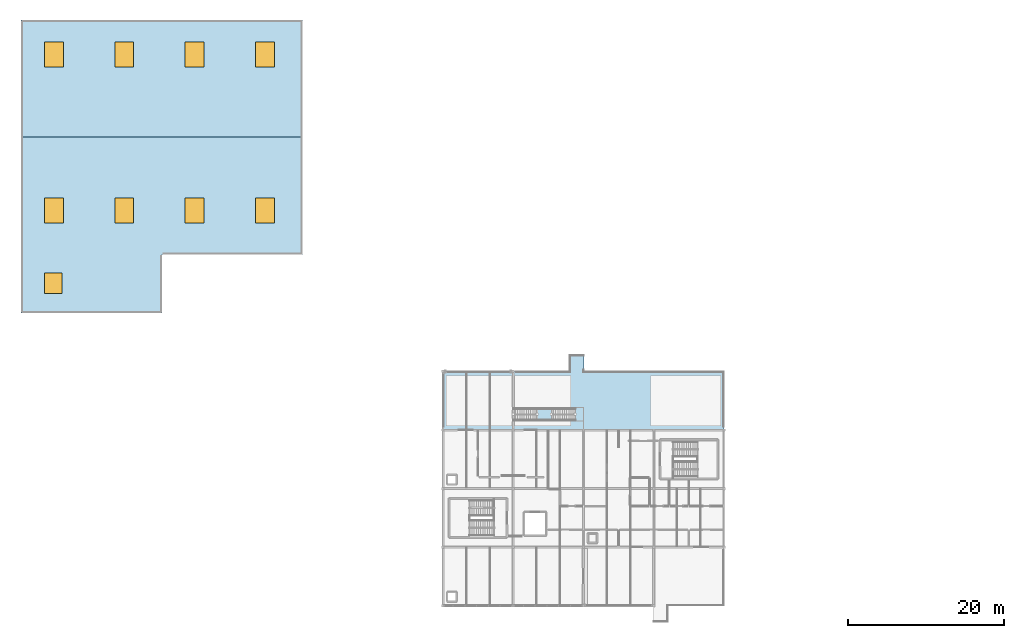
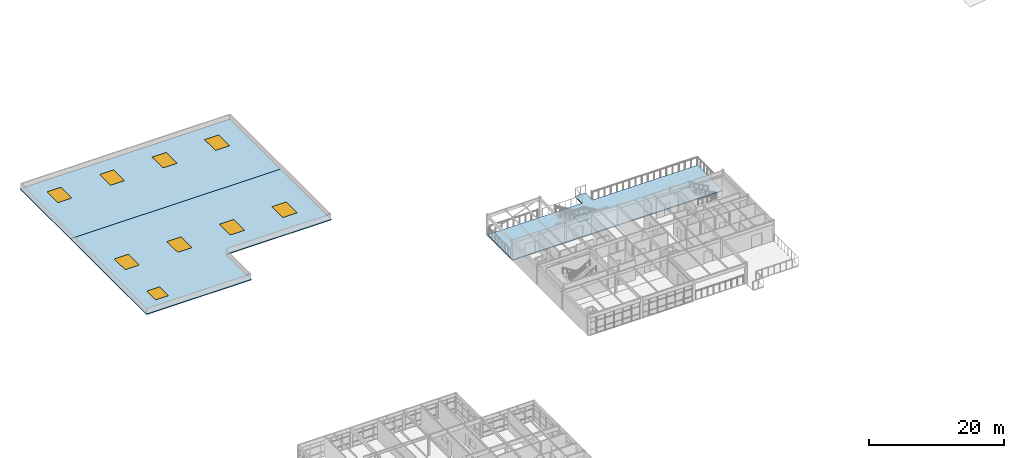
# One storey, part 15 of 24: 9 windows, 4 slabs, 9 openings, 1 element without a shape of its own.
"""IFC4 building model written with IfcOpenShell, lengths in metres."""

from ifc_helpers import new_model, si_unit, direction, frame, origin, origin_2d, place, context, subcontext, project, spatial, polyline, rectangle, outline, extrude, material, layer, layer_set, type_object, element, fill, aggregate, save


model = new_model("IFC4")

# Units and contexts
model_context = context("Model", 3, precision=1e-05, world=origin(), true_north=direction((0.0, 1.0)))
body_context = subcontext(model_context, "Body", "Model", "MODEL_VIEW")
ifc_project = project(units=[si_unit("LENGTHUNIT", "METRE"), si_unit("AREAUNIT", "SQUARE_METRE"), si_unit("VOLUMEUNIT", "CUBIC_METRE"), si_unit("PLANEANGLEUNIT", "RADIAN"), si_unit("MASSUNIT", "GRAM", prefix="KILO")], contexts=[model_context])

# Site, building, storey
site_placement = place(None, origin())
site = spatial("IfcSite", under=ifc_project, at=site_placement, CompositionType="ELEMENT")
building_placement = place(site_placement, origin())
building = spatial("IfcBuilding", under=site, at=building_placement, Name="Marnridge Secondary College", CompositionType="ELEMENT")
storey_placement = place(building_placement, frame((0.0, 0.0, 16.10009765625)))
storey = spatial("IfcBuildingStorey", under=building, at=storey_placement, Name="L04", CompositionType="ELEMENT", Elevation=16.10009765625)

# Slab
ifc_material_1 = material(Name="Cross-laminated timber CL5", Category="wood")
ifc_layer_1 = layer(ifc_material_1, 0.159912109375)
ifc_layer_set_1 = layer_set([ifc_layer_1], Name="SL-DECK-160")
slab_type_1 = type_object("IfcSlabType", Name="SL-DECK-160", PredefinedType="ROOF", material=ifc_layer_set_1)
slab_1_placement = place(storey_placement, frame((0.0, 0.0, -0.16015625)))
element("IfcSlab", 1, at=slab_1_placement, inside=storey, type_object=slab_type_1, Name="External deck slab SL-L04-061", PredefinedType="ROOF", context=body_context, shape_type="SweptSolid", body=[
    extrude(outline(polyline([(54.0, 67.5), (90.0, 67.5), (90.0, 75.0), (72.0400390625, 75.0), (72.0400390625, 77.10009765625), (70.199951171875, 77.10009765625), (70.199951171875, 75.0), (54.0, 75.0), (54.0, 67.5)])), origin(), (0.0, 0.0, 1.0), 0.16015625),
])

# Stair, slab
ifc_material_2 = material(Name="Precast concrete C40/50 (AS 3600 N40, 40 MPa)", Category="concrete")
stair_type = type_object("IfcStairType", Name="STZ1", PredefinedType="STRAIGHT_RUN_STAIR", material=ifc_material_2)
stair_placement = place(storey_placement, origin())
stair = element("IfcStair", 2, at=stair_placement, inside=storey, type_object=stair_type, Name="Exterior terrace stair ST-Z4", PredefinedType="STRAIGHT_RUN_STAIR")
ifc_material_3 = material(Name="Precast concrete C40/50 (AS 3600 N40, 40 MPa)", Category="concrete")
ifc_layer_2 = layer(ifc_material_3, 0.179931640625)
ifc_layer_set_2 = layer_set([ifc_layer_2], Name="SL-LAND-EXT180")
slab_type_2 = type_object("IfcSlabType", Name="SL-LAND-EXT180", PredefinedType="LANDING", material=ifc_layer_set_2)
slab_2_placement = place(storey_placement, frame((0.0, 0.0, 1.719970703125)))
slab_2 = element("IfcSlab", 3, at=slab_2_placement, type_object=slab_type_2, Name="ST-Z4 landing 1", PredefinedType="LANDING", context=body_context, shape_type="SweptSolid", body=[
    extrude(outline(polyline([(66.080078125, 68.699951171875), (67.8798828125, 68.699951171875), (67.8798828125, 70.300048828125), (66.080078125, 70.300048828125), (66.080078125, 68.699951171875)])), origin(), (0.0, 0.0, 1.0), 0.179931640625),
])
aggregate(stair, [slab_2])

# Slab, openings, windows
ifc_material_4 = material(Name="Cross-laminated timber CL5", Category="wood")
ifc_layer_3 = layer(ifc_material_4, 0.14990234375)
ifc_layer_set_3 = layer_set([ifc_layer_3], Name="SL-ROOF-150")
slab_type_3 = type_object("IfcSlabType", Name="SL-ROOF-150", PredefinedType="ROOF", material=ifc_layer_set_3)
slab_3_placement = place(storey_placement, frame((0.0, 0.0, -0.150146484375)))
slab_3 = element("IfcSlab", 4, at=slab_3_placement, inside=storey, type_object=slab_type_3, Name="Roof slab SR-L04-068", PredefinedType="ROOF", context=body_context, shape_type="SweptSolid", body=[
    extrude(outline(polyline([(0.0, 82.5), (18.0, 82.5), (18.0, 90.0), (36.0, 90.0), (36.0, 105.0), (0.0, 105.0), (0.0, 82.5)]), holes=[polyline([(3.0, 94.0), (5.39990234375, 94.0), (5.39990234375, 97.199951171875), (3.0, 97.199951171875), (3.0, 94.0)]), polyline([(12.0, 94.0), (14.39990234375, 94.0), (14.39990234375, 97.199951171875), (12.0, 97.199951171875), (12.0, 94.0)]), polyline([(21.0, 94.0), (23.39990234375, 94.0), (23.39990234375, 97.199951171875), (21.0, 97.199951171875), (21.0, 94.0)]), polyline([(30.0, 94.0), (32.39990234375, 94.0), (32.39990234375, 97.199951171875), (30.0, 97.199951171875), (30.0, 94.0)]), polyline([(3.0, 85.0), (5.199951171875, 85.0), (5.199951171875, 87.60009765625), (3.0, 87.60009765625), (3.0, 85.0)])]), origin(), (0.0, 0.0, 1.0), 0.150146484375),
])
opening_1_placement = place(slab_3_placement, frame((4.199951171875, 95.60009765625, 0.0)))
opening_1 = element("IfcOpeningElement", 5, at=opening_1_placement, cuts=slab_3, Name="Opening SK-009", PredefinedType="OPENING", context=body_context, shape_type="SweptSolid", body=[
    extrude(rectangle(XDim=2.39990234375, YDim=3.199951171875, at=origin_2d()), frame((0.0, 0.0, -0.010009765625)), (0.0, 0.0, 1.0), 0.170166015625),
])
opening_2_placement = place(slab_3_placement, frame((13.199951171875, 95.60009765625, 0.0)))
opening_2 = element("IfcOpeningElement", 6, at=opening_2_placement, cuts=slab_3, Name="Opening SK-010", PredefinedType="OPENING", context=body_context, shape_type="SweptSolid", body=[
    extrude(rectangle(XDim=2.39990234375, YDim=3.199951171875, at=origin_2d()), frame((0.0, 0.0, -0.010009765625)), (0.0, 0.0, 1.0), 0.170166015625),
])
opening_3_placement = place(slab_3_placement, frame((22.199951171875, 95.60009765625, 0.0)))
opening_3 = element("IfcOpeningElement", 7, at=opening_3_placement, cuts=slab_3, Name="Opening SK-011", PredefinedType="OPENING", context=body_context, shape_type="SweptSolid", body=[
    extrude(rectangle(XDim=2.39990234375, YDim=3.199951171875, at=origin_2d()), frame((0.0, 0.0, -0.010009765625)), (0.0, 0.0, 1.0), 0.170166015625),
])
opening_4_placement = place(slab_3_placement, frame((31.199951171875, 95.60009765625, 0.0)))
opening_4 = element("IfcOpeningElement", 8, at=opening_4_placement, cuts=slab_3, Name="Opening SK-012", PredefinedType="OPENING", context=body_context, shape_type="SweptSolid", body=[
    extrude(rectangle(XDim=2.39990234375, YDim=3.199951171875, at=origin_2d()), frame((0.0, 0.0, -0.010009765625)), (0.0, 0.0, 1.0), 0.170166015625),
])
opening_5_placement = place(slab_3_placement, frame((4.10009765625, 86.300048828125, 0.0)))
opening_5 = element("IfcOpeningElement", 9, at=opening_5_placement, cuts=slab_3, Name="Opening SK-013", PredefinedType="OPENING", context=body_context, shape_type="SweptSolid", body=[
    extrude(rectangle(XDim=2.199951171875, YDim=2.60009765625, at=origin_2d()), frame((0.0, 0.0, -0.010009765625)), (0.0, 0.0, 1.0), 0.170166015625),
])
ifc_material_5 = material(Name="Insulated aluminium roof access hatch", Category="aluminium")
window_type_1 = type_object("IfcWindowType", Name="SK-HATCH-2226", PartitioningType="SINGLE_PANEL", PredefinedType="SKYLIGHT", material=ifc_material_5)
window_1_placement = place(opening_5_placement, origin())
window_1 = element("IfcWindow", 10, at=window_1_placement, inside=storey, type_object=window_type_1, Name="Roof skylight SK-013", OverallHeight=2.60009765625, OverallWidth=2.199951171875, PartitioningType="SINGLE_PANEL", PredefinedType="SKYLIGHT", context=body_context, shape_type="SweptSolid", body=[
    extrude(rectangle(XDim=2.199951171875, YDim=2.60009765625, at=origin_2d()), origin(), (0.0, 0.0, 1.0), 0.150146484375),
])
fill(opening_5, window_1)
ifc_material_6 = material(Name="North-light laboratory insulated skylight", Category="glass")
window_type_2 = type_object("IfcWindowType", Name="SK-ROOF-2432", PartitioningType="DOUBLE_PANEL_VERTICAL", PredefinedType="SKYLIGHT", material=ifc_material_6)
window_2_placement = place(opening_1_placement, origin())
window_2 = element("IfcWindow", 11, at=window_2_placement, inside=storey, type_object=window_type_2, Name="Roof skylight SK-009", OverallHeight=3.199951171875, OverallWidth=2.39990234375, PartitioningType="SINGLE_PANEL", PredefinedType="SKYLIGHT", context=body_context, shape_type="SweptSolid", body=[
    extrude(rectangle(XDim=2.39990234375, YDim=3.199951171875, at=origin_2d()), origin(), (0.0, 0.0, 1.0), 0.150146484375),
])
fill(opening_1, window_2)
window_3_placement = place(opening_2_placement, origin())
window_3 = element("IfcWindow", 12, at=window_3_placement, inside=storey, type_object=window_type_2, Name="Roof skylight SK-010", OverallHeight=3.199951171875, OverallWidth=2.39990234375, PartitioningType="SINGLE_PANEL", PredefinedType="SKYLIGHT", context=body_context, shape_type="SweptSolid", body=[
    extrude(rectangle(XDim=2.39990234375, YDim=3.199951171875, at=origin_2d()), origin(), (0.0, 0.0, 1.0), 0.150146484375),
])
fill(opening_2, window_3)
window_4_placement = place(opening_3_placement, origin())
window_4 = element("IfcWindow", 13, at=window_4_placement, inside=storey, type_object=window_type_2, Name="Roof skylight SK-011", OverallHeight=3.199951171875, OverallWidth=2.39990234375, PartitioningType="SINGLE_PANEL", PredefinedType="SKYLIGHT", context=body_context, shape_type="SweptSolid", body=[
    extrude(rectangle(XDim=2.39990234375, YDim=3.199951171875, at=origin_2d()), origin(), (0.0, 0.0, 1.0), 0.150146484375),
])
fill(opening_3, window_4)
window_5_placement = place(opening_4_placement, origin())
window_5 = element("IfcWindow", 14, at=window_5_placement, inside=storey, type_object=window_type_2, Name="Roof skylight SK-012", OverallHeight=3.199951171875, OverallWidth=2.39990234375, PartitioningType="SINGLE_PANEL", PredefinedType="SKYLIGHT", context=body_context, shape_type="SweptSolid", body=[
    extrude(rectangle(XDim=2.39990234375, YDim=3.199951171875, at=origin_2d()), origin(), (0.0, 0.0, 1.0), 0.150146484375),
])
fill(opening_4, window_5)

slab_4_placement = place(storey_placement, frame((0.0, 0.0, -0.150146484375)))
slab_4 = element("IfcSlab", 15, at=slab_4_placement, inside=storey, type_object=slab_type_3, Name="Roof slab SR-L04-069", PredefinedType="ROOF", context=body_context, shape_type="SweptSolid", body=[
    extrude(outline(polyline([(0.0, 105.0), (36.0, 105.0), (36.0, 120.0), (0.0, 120.0), (0.0, 105.0)]), holes=[polyline([(3.0, 114.0), (5.39990234375, 114.0), (5.39990234375, 117.199951171875), (3.0, 117.199951171875), (3.0, 114.0)]), polyline([(12.0, 114.0), (14.39990234375, 114.0), (14.39990234375, 117.199951171875), (12.0, 117.199951171875), (12.0, 114.0)]), polyline([(21.0, 114.0), (23.39990234375, 114.0), (23.39990234375, 117.199951171875), (21.0, 117.199951171875), (21.0, 114.0)]), polyline([(30.0, 114.0), (32.39990234375, 114.0), (32.39990234375, 117.199951171875), (30.0, 117.199951171875), (30.0, 114.0)])]), origin(), (0.0, 0.0, 1.0), 0.150146484375),
])
opening_6_placement = place(slab_4_placement, frame((4.199951171875, 115.60009765625, 0.0)))
opening_6 = element("IfcOpeningElement", 16, at=opening_6_placement, cuts=slab_4, Name="Opening SK-014", PredefinedType="OPENING", context=body_context, shape_type="SweptSolid", body=[
    extrude(rectangle(XDim=2.39990234375, YDim=3.199951171875, at=origin_2d()), frame((0.0, 0.0, -0.010009765625)), (0.0, 0.0, 1.0), 0.170166015625),
])
opening_7_placement = place(slab_4_placement, frame((13.199951171875, 115.60009765625, 0.0)))
opening_7 = element("IfcOpeningElement", 17, at=opening_7_placement, cuts=slab_4, Name="Opening SK-015", PredefinedType="OPENING", context=body_context, shape_type="SweptSolid", body=[
    extrude(rectangle(XDim=2.39990234375, YDim=3.199951171875, at=origin_2d()), frame((0.0, 0.0, -0.010009765625)), (0.0, 0.0, 1.0), 0.170166015625),
])
opening_8_placement = place(slab_4_placement, frame((22.199951171875, 115.60009765625, 0.0)))
opening_8 = element("IfcOpeningElement", 18, at=opening_8_placement, cuts=slab_4, Name="Opening SK-016", PredefinedType="OPENING", context=body_context, shape_type="SweptSolid", body=[
    extrude(rectangle(XDim=2.39990234375, YDim=3.199951171875, at=origin_2d()), frame((0.0, 0.0, -0.010009765625)), (0.0, 0.0, 1.0), 0.170166015625),
])
opening_9_placement = place(slab_4_placement, frame((31.199951171875, 115.60009765625, 0.0)))
opening_9 = element("IfcOpeningElement", 19, at=opening_9_placement, cuts=slab_4, Name="Opening SK-017", PredefinedType="OPENING", context=body_context, shape_type="SweptSolid", body=[
    extrude(rectangle(XDim=2.39990234375, YDim=3.199951171875, at=origin_2d()), frame((0.0, 0.0, -0.010009765625)), (0.0, 0.0, 1.0), 0.170166015625),
])
window_6_placement = place(opening_6_placement, origin())
window_6 = element("IfcWindow", 20, at=window_6_placement, inside=storey, type_object=window_type_2, Name="Roof skylight SK-014", OverallHeight=3.199951171875, OverallWidth=2.39990234375, PartitioningType="SINGLE_PANEL", PredefinedType="SKYLIGHT", context=body_context, shape_type="SweptSolid", body=[
    extrude(rectangle(XDim=2.39990234375, YDim=3.199951171875, at=origin_2d()), origin(), (0.0, 0.0, 1.0), 0.150146484375),
])
fill(opening_6, window_6)
window_7_placement = place(opening_7_placement, origin())
window_7 = element("IfcWindow", 21, at=window_7_placement, inside=storey, type_object=window_type_2, Name="Roof skylight SK-015", OverallHeight=3.199951171875, OverallWidth=2.39990234375, PartitioningType="SINGLE_PANEL", PredefinedType="SKYLIGHT", context=body_context, shape_type="SweptSolid", body=[
    extrude(rectangle(XDim=2.39990234375, YDim=3.199951171875, at=origin_2d()), origin(), (0.0, 0.0, 1.0), 0.150146484375),
])
fill(opening_7, window_7)
window_8_placement = place(opening_8_placement, origin())
window_8 = element("IfcWindow", 22, at=window_8_placement, inside=storey, type_object=window_type_2, Name="Roof skylight SK-016", OverallHeight=3.199951171875, OverallWidth=2.39990234375, PartitioningType="SINGLE_PANEL", PredefinedType="SKYLIGHT", context=body_context, shape_type="SweptSolid", body=[
    extrude(rectangle(XDim=2.39990234375, YDim=3.199951171875, at=origin_2d()), origin(), (0.0, 0.0, 1.0), 0.150146484375),
])
fill(opening_8, window_8)
window_9_placement = place(opening_9_placement, origin())
window_9 = element("IfcWindow", 23, at=window_9_placement, inside=storey, type_object=window_type_2, Name="Roof skylight SK-017", OverallHeight=3.199951171875, OverallWidth=2.39990234375, PartitioningType="SINGLE_PANEL", PredefinedType="SKYLIGHT", context=body_context, shape_type="SweptSolid", body=[
    extrude(rectangle(XDim=2.39990234375, YDim=3.199951171875, at=origin_2d()), origin(), (0.0, 0.0, 1.0), 0.150146484375),
])
fill(opening_9, window_9)

save(model, "model.ifc")
